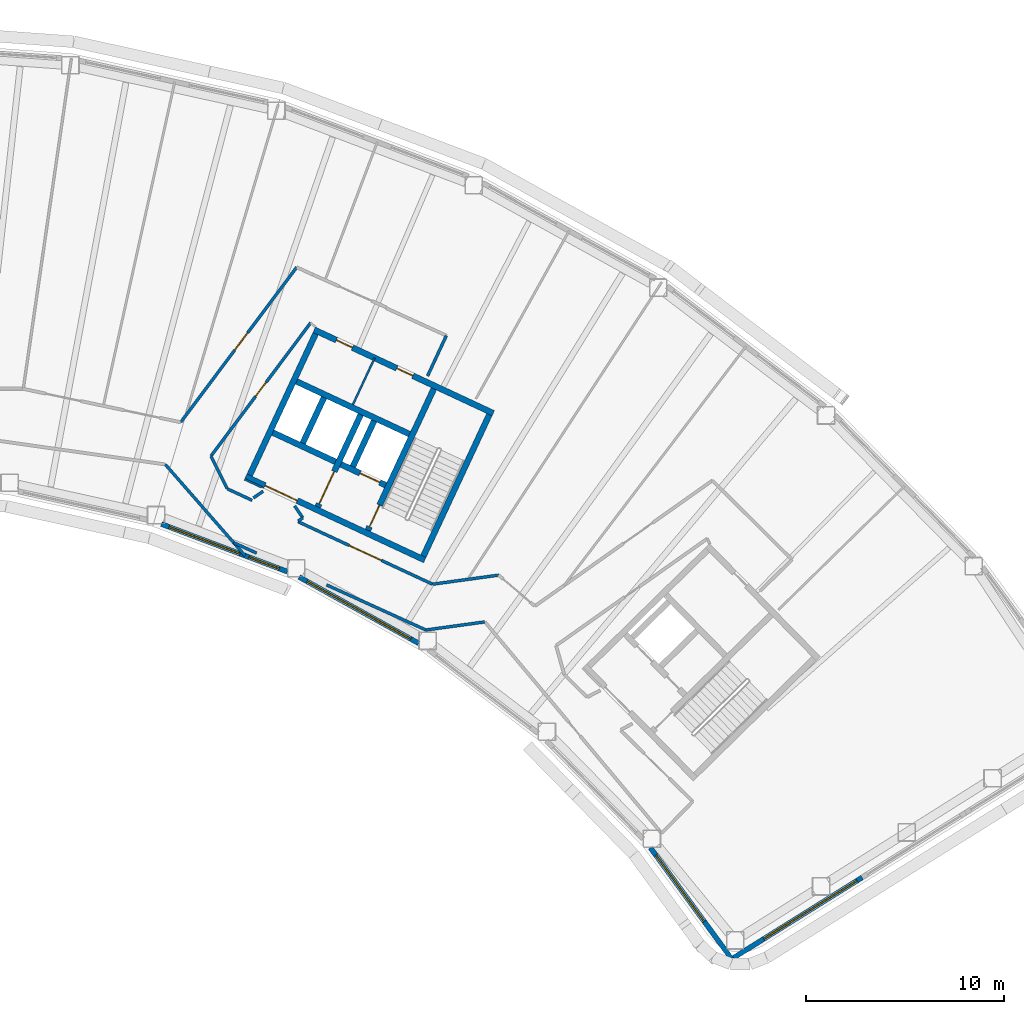
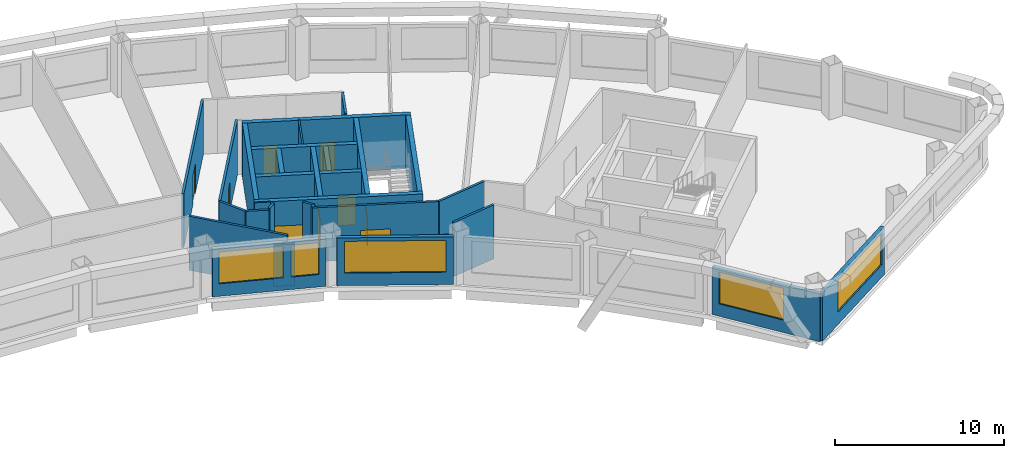
# One storey, part 8 of 14: 31 walls, 9 doors, 5 windows, 14 openings.
"""IFC4 building model written with IfcOpenShell, lengths in metres."""

from ifc_helpers import new_model, si_unit, direction, frame, frame_2d, origin, place, context, subcontext, project, spatial, rectangle, extrude, material, layer, layer_set, type_object, element, fill, save


model = new_model("IFC4")

# Units and contexts
model_context = context("Model", 3, precision=1e-05, world=origin(), true_north=direction((0.0, 1.0)))
body_context = subcontext(model_context, "Body", "Model", "MODEL_VIEW")
ifc_project = project(units=[si_unit("LENGTHUNIT", "METRE"), si_unit("AREAUNIT", "SQUARE_METRE"), si_unit("VOLUMEUNIT", "CUBIC_METRE"), si_unit("PLANEANGLEUNIT", "RADIAN"), si_unit("MASSUNIT", "GRAM", prefix="KILO")], contexts=[model_context])

# Site, building, storey
site_placement = place(None, origin())
site = spatial("IfcSite", under=ifc_project, at=site_placement, CompositionType="ELEMENT")
building_placement = place(site_placement, origin())
building = spatial("IfcBuilding", under=site, at=building_placement, Name="Tuul Gate Civic Tower", CompositionType="ELEMENT")
storey_placement = place(building_placement, frame((0.0, 0.0, 213.699951171875)))
storey = spatial("IfcBuildingStorey", under=building, at=storey_placement, Name="Level 48", CompositionType="ELEMENT", Elevation=213.699951171875)

# Wall, opening, door
ifc_material_1 = material(Name="Concrete C50/60", Category="concrete")
ifc_layer_1 = layer(ifc_material_1, 0.300048828125)
ifc_layer_set_1 = layer_set([ifc_layer_1], Name="Concrete C50/60")
wall_type_1 = type_object("IfcWallType", Name="Core wall C50/60", PredefinedType="SHEAR", material=ifc_layer_set_1)
wall_1_placement = place(storey_placement, frame((34.5283203125, -7.25, 0.0), z_axis=(0.0, 0.0, 1.0), x_axis=(-0.906310338845, 0.422612789327, 0.0)))
wall_1 = element("IfcWall", 1, at=wall_1_placement, inside=storey, type_object=wall_type_1, Name="Core wall", PredefinedType="SHEAR", context=body_context, shape_type="SweptSolid", body=[
    extrude(rectangle(XDim=9.999755859375, YDim=0.300048828125, at=frame_2d((5.0, 0.0))), origin(), (0.0, 0.0, 1.0), 3.900146484375),
])
opening_1_placement = place(wall_1_placement, frame((7.125, 0.0, 0.0)))
opening_1 = element("IfcOpeningElement", 2, at=opening_1_placement, cuts=wall_1, Name="Opening LB-E3-LOBBY-1", PredefinedType="OPENING", context=body_context, shape_type="SweptSolid", body=[
    extrude(rectangle(XDim=1.800048828125, YDim=2.10009765625, at=frame_2d((0.89990234375, 1.050048828125))), frame((0.0, 0.16015625, 0.0), z_axis=(0.0, -1.0, 0.0), x_axis=(1.0, 0.0, 0.0)), (0.0, 0.0, 1.0), 0.320068359375),
])
ifc_material_2 = material(Name="Steel", Category="steel")
door_type_1 = type_object("IfcDoorType", Name="Lobby door", OperationType="DOUBLE_DOOR_SINGLE_SWING", PredefinedType="DOOR", material=ifc_material_2)
door_1_placement = place(opening_1_placement, frame((1.800048828125, 0.0, 0.0), z_axis=(0.0, 0.0, 1.0), x_axis=(-1.0, 0.0, 0.0)))
door_1 = element("IfcDoor", 3, at=door_1_placement, inside=storey, type_object=door_type_1, Name="Lobby door E3-LOBBY", OperationType="DOUBLE_DOOR_SINGLE_SWING", OverallHeight=2.10009765625, OverallWidth=1.800048828125, PredefinedType="DOOR", context=body_context, shape_type="SweptSolid", body=[
    extrude(rectangle(XDim=1.800048828125, YDim=2.10009765625, at=frame_2d((0.900146484375, 1.050048828125))), frame((0.0, 0.02490234375, 0.0), z_axis=(0.0, -1.0, 0.0), x_axis=(1.0, 0.0, 0.0)), (0.0, 0.0, 1.0), 0.050048828125),
])
fill(opening_1, door_1)

wall_2_placement = place(storey_placement, frame((32.545654296875, -3.456787109375, 0.0), z_axis=(0.0, 0.0, 1.0), x_axis=(-0.906300357825, 0.42263419337, 0.0)))
wall_2 = element("IfcWall", 4, at=wall_2_placement, inside=storey, type_object=wall_type_1, Name="Core wall", PredefinedType="SHEAR", context=body_context, shape_type="SweptSolid", body=[
    extrude(rectangle(XDim=2.500244140625, YDim=0.300048828125, at=frame_2d((1.25, 0.0))), origin(), (0.0, 0.0, 1.0), 3.900146484375),
])
opening_2_placement = place(wall_2_placement, frame((0.324951171875, 0.0, 0.0)))
opening_2 = element("IfcOpeningElement", 5, at=opening_2_placement, cuts=wall_2, Name="Opening LD-FF-2", PredefinedType="OPENING", context=body_context, shape_type="SweptSolid", body=[
    extrude(rectangle(XDim=1.10009765625, YDim=2.10009765625, at=frame_2d((0.550048828125, 1.050048828125))), frame((0.0, 0.16015625, 0.0), z_axis=(0.0, -1.0, 0.0), x_axis=(1.0, 0.0, 0.0)), (0.0, 0.0, 1.0), 0.320068359375),
])
ifc_material_3 = material(Name="Stainless steel", Category="steel")
door_type_2 = type_object("IfcDoorType", Name="Landing door", OperationType="DOUBLE_DOOR_SLIDING", PredefinedType="DOOR", material=ifc_material_3)
door_2_placement = place(opening_2_placement, origin())
door_2 = element("IfcDoor", 6, at=door_2_placement, inside=storey, type_object=door_type_2, Name="Fire-fighting lift FF-2 landing door", OperationType="DOUBLE_DOOR_SLIDING", OverallHeight=2.10009765625, OverallWidth=1.10009765625, PredefinedType="DOOR", context=body_context, shape_type="SweptSolid", body=[
    extrude(rectangle(XDim=1.10009765625, YDim=2.10009765625, at=frame_2d((0.550048828125, 1.050048828125))), frame((0.0, 0.02490234375, 0.0), z_axis=(0.0, -1.0, 0.0), x_axis=(1.0, 0.0, 0.0)), (0.0, 0.0, 1.0), 0.050048828125),
])
fill(opening_2, door_2)

# Walls
wall_3_placement = place(storey_placement, frame((30.0078125, -2.2734375, 0.0), z_axis=(0.0, 0.0, 1.0), x_axis=(-0.90630071767, 0.422633421716, 0.0)))
element("IfcWall", 7, at=wall_3_placement, inside=storey, type_object=wall_type_1, Name="Core wall", PredefinedType="SHEAR", context=body_context, shape_type="SweptSolid", body=[
    extrude(rectangle(XDim=3.5, YDim=0.300048828125, at=frame_2d((1.75, 0.0))), origin(), (0.0, 0.0, 1.0), 3.900146484375),
])
wall_4_placement = place(storey_placement, frame((33.75, -0.873779296875, 0.0), z_axis=(0.0, 0.0, 1.0), x_axis=(-0.906300917592, 0.422632992999, 0.0)))
element("IfcWall", 8, at=wall_4_placement, inside=storey, type_object=wall_type_1, Name="Core wall", PredefinedType="SHEAR", context=body_context, shape_type="SweptSolid", body=[
    extrude(rectangle(XDim=6.300048828125, YDim=0.300048828125, at=frame_2d((3.14990234375, 0.0))), origin(), (0.0, 0.0, 1.0), 3.900146484375),
])

# Wall, openings, doors
wall_5_placement = place(storey_placement, frame((37.993408203125, 0.181884765625, 0.0), z_axis=(0.0, 0.0, 1.0), x_axis=(-0.906310338845, 0.422612789327, 0.0)))
wall_5 = element("IfcWall", 9, at=wall_5_placement, inside=storey, type_object=wall_type_1, Name="Core wall", PredefinedType="SHEAR", context=body_context, shape_type="SweptSolid", body=[
    extrude(rectangle(XDim=9.999755859375, YDim=0.300048828125, at=frame_2d((5.0, 0.0))), origin(), (0.0, 0.0, 1.0), 3.900146484375),
])
opening_3_placement = place(wall_5_placement, frame((4.487548828125, 0.0, 0.0)))
opening_3 = element("IfcOpeningElement", 10, at=opening_3_placement, cuts=wall_5, Name="Opening Q-D29", PredefinedType="OPENING", context=body_context, shape_type="SweptSolid", body=[
    extrude(rectangle(XDim=0.89990234375, YDim=2.10009765625, at=frame_2d((0.449951171875, 1.050048828125))), frame((0.0, 0.16015625, 0.0), z_axis=(0.0, -1.0, 0.0), x_axis=(1.0, 0.0, 0.0)), (0.0, 0.0, 1.0), 0.320068359375),
])
opening_4_placement = place(wall_5_placement, frame((7.862548828125, 0.0, 0.0)))
opening_4 = element("IfcOpeningElement", 11, at=opening_4_placement, cuts=wall_5, Name="Opening Q-D30", PredefinedType="OPENING", context=body_context, shape_type="SweptSolid", body=[
    extrude(rectangle(XDim=0.89990234375, YDim=2.10009765625, at=frame_2d((0.449951171875, 1.050048828125))), frame((0.0, 0.16015625, 0.0), z_axis=(0.0, -1.0, 0.0), x_axis=(1.0, 0.0, 0.0)), (0.0, 0.0, 1.0), 0.320068359375),
])
ifc_material_4 = material(Name="Timber door leaf", Category="wood")
door_type_3 = type_object("IfcDoorType", Name="Door D09", OperationType="NOTDEFINED", PredefinedType="DOOR", material=ifc_material_4)
door_3_placement = place(opening_3_placement, origin())
door_3 = element("IfcDoor", 12, at=door_3_placement, inside=storey, type_object=door_type_3, Name="Door Q-D29", OperationType="SINGLE_SWING_LEFT", OverallHeight=2.10009765625, OverallWidth=0.89990234375, PredefinedType="DOOR", context=body_context, shape_type="SweptSolid", body=[
    extrude(rectangle(XDim=0.89990234375, YDim=2.10009765625, at=frame_2d((0.449951171875, 1.050048828125))), frame((0.0, 0.02490234375, 0.0), z_axis=(0.0, -1.0, 0.0), x_axis=(1.0, 0.0, 0.0)), (0.0, 0.0, 1.0), 0.050048828125),
])
fill(opening_3, door_3)
door_4_placement = place(opening_4_placement, origin())
door_4 = element("IfcDoor", 13, at=door_4_placement, inside=storey, type_object=door_type_3, Name="Door Q-D30", OperationType="SINGLE_SWING_RIGHT", OverallHeight=2.10009765625, OverallWidth=0.89990234375, PredefinedType="DOOR", context=body_context, shape_type="SweptSolid", body=[
    extrude(rectangle(XDim=0.89990234375, YDim=2.10009765625, at=frame_2d((0.449951171875, 1.050048828125))), frame((0.0, 0.02490234375, 0.0), z_axis=(0.0, -1.0, 0.0), x_axis=(1.0, 0.0, 0.0)), (0.0, 0.0, 1.0), 0.050048828125),
])
fill(opening_4, door_4)

# Wall
wall_6_placement = place(storey_placement, frame((34.455810546875, -7.05078125, 0.0), z_axis=(0.0, 0.0, 1.0), x_axis=(0.422570768258, 0.906329932096, 0.0)))
element("IfcWall", 14, at=wall_6_placement, inside=storey, type_object=wall_type_1, Name="Core wall", PredefinedType="SHEAR", context=body_context, shape_type="SweptSolid", body=[
    extrude(rectangle(XDim=7.900146484375, YDim=0.300048828125, at=frame_2d((3.9501953125, 0.0))), origin(), (0.0, 0.0, 1.0), 3.900146484375),
])

# Wall, opening, door
wall_7_placement = place(storey_placement, frame((31.646240234375, -5.740478515625, 0.0), z_axis=(0.0, 0.0, 1.0), x_axis=(0.422582604137, 0.906324413596, 0.0)))
wall_7 = element("IfcWall", 15, at=wall_7_placement, inside=storey, type_object=wall_type_1, Name="Core wall", PredefinedType="SHEAR", context=body_context, shape_type="SweptSolid", body=[
    extrude(rectangle(XDim=7.89990234375, YDim=0.300048828125, at=frame_2d((3.949951171875, 0.0))), origin(), (0.0, 0.0, 1.0), 3.900146484375),
])
opening_5_placement = place(wall_7_placement, frame((0.199951171875, 0.0, 0.0)))
opening_5 = element("IfcOpeningElement", 16, at=opening_5_placement, cuts=wall_7, Name="Opening SD-ST-4", PredefinedType="OPENING", context=body_context, shape_type="SweptSolid", body=[
    extrude(rectangle(XDim=1.199951171875, YDim=2.10009765625, at=frame_2d((0.60009765625, 1.050048828125))), frame((0.0, 0.16015625, 0.0), z_axis=(0.0, -1.0, 0.0), x_axis=(1.0, 0.0, 0.0)), (0.0, 0.0, 1.0), 0.320068359375),
])
ifc_material_5 = material(Name="Steel", Category="steel")
door_type_4 = type_object("IfcDoorType", Name="Stair door", OperationType="NOTDEFINED", PredefinedType="DOOR", material=ifc_material_5)
door_5_placement = place(opening_5_placement, origin())
door_5 = element("IfcDoor", 17, at=door_5_placement, inside=storey, type_object=door_type_4, Name="Stair door ST-4", OperationType="SINGLE_SWING_LEFT", OverallHeight=2.10009765625, OverallWidth=1.199951171875, PredefinedType="DOOR", context=body_context, shape_type="SweptSolid", body=[
    extrude(rectangle(XDim=1.199951171875, YDim=2.10009765625, at=frame_2d((0.60009765625, 1.050048828125))), frame((0.0, 0.02490234375, 0.0), z_axis=(0.0, -1.0, 0.0), x_axis=(1.0, 0.0, 0.0)), (0.0, 0.0, 1.0), 0.050048828125),
])
fill(opening_5, door_5)

# Wall
wall_8_placement = place(storey_placement, frame((30.886962890625, -2.517822265625, 0.0), z_axis=(0.0, 0.0, 1.0), x_axis=(0.422612891016, 0.906310291427, 0.0)))
element("IfcWall", 18, at=wall_8_placement, inside=storey, type_object=wall_type_1, Name="Core wall", PredefinedType="SHEAR", context=body_context, shape_type="SweptSolid", body=[
    extrude(rectangle(XDim=2.550048828125, YDim=0.300048828125, at=frame_2d((1.27490234375, 0.0))), origin(), (0.0, 0.0, 1.0), 3.900146484375),
])

# Wall, opening, door
wall_9_placement = place(storey_placement, frame((29.108642578125, -4.557373046875, 0.0), z_axis=(0.0, 0.0, 1.0), x_axis=(0.422566235356, 0.90633204552, 0.0)))
wall_9 = element("IfcWall", 19, at=wall_9_placement, inside=storey, type_object=wall_type_1, Name="Core wall", PredefinedType="SHEAR", context=body_context, shape_type="SweptSolid", body=[
    extrude(rectangle(XDim=5.150146484375, YDim=0.300048828125, at=frame_2d((2.5751953125, 0.0))), origin(), (0.0, 0.0, 1.0), 3.900146484375),
])
opening_6_placement = place(wall_9_placement, frame((0.175048828125, 0.0, 0.0)))
opening_6 = element("IfcOpeningElement", 20, at=opening_6_placement, cuts=wall_9, Name="Opening LB-E3-FLOBBY-1", PredefinedType="OPENING", context=body_context, shape_type="SweptSolid", body=[
    extrude(rectangle(XDim=1.800048828125, YDim=2.10009765625, at=frame_2d((0.89990234375, 1.050048828125))), frame((0.0, 0.16015625, 0.0), z_axis=(0.0, -1.0, 0.0), x_axis=(1.0, 0.0, 0.0)), (0.0, 0.0, 1.0), 0.320068359375),
])
door_6_placement = place(opening_6_placement, frame((1.800048828125, 0.0, 0.0), z_axis=(0.0, 0.0, 1.0), x_axis=(-1.0, 0.0, 0.0)))
door_6 = element("IfcDoor", 21, at=door_6_placement, inside=storey, type_object=door_type_1, Name="Lobby door E3-FLOBBY", OperationType="DOUBLE_DOOR_SINGLE_SWING", OverallHeight=2.10009765625, OverallWidth=1.800048828125, PredefinedType="DOOR", context=body_context, shape_type="SweptSolid", body=[
    extrude(rectangle(XDim=1.800048828125, YDim=2.10009765625, at=frame_2d((0.900146484375, 1.050048828125))), frame((0.0, 0.02490234375, 0.0), z_axis=(0.0, -1.0, 0.0), x_axis=(1.0, 0.0, 0.0)), (0.0, 0.0, 1.0), 0.050048828125),
])
fill(opening_6, door_6)

# Walls
wall_10_placement = place(storey_placement, frame((28.349365234375, -1.33447265625, 0.0), z_axis=(0.0, 0.0, 1.0), x_axis=(0.422612891016, 0.906310291427, 0.0)))
element("IfcWall", 22, at=wall_10_placement, inside=storey, type_object=wall_type_1, Name="Core wall", PredefinedType="SHEAR", context=body_context, shape_type="SweptSolid", body=[
    extrude(rectangle(XDim=2.550048828125, YDim=0.300048828125, at=frame_2d((1.27490234375, 0.0))), origin(), (0.0, 0.0, 1.0), 3.900146484375),
])
wall_11_placement = place(storey_placement, frame((25.66455078125, -2.951416015625, 0.0), z_axis=(0.0, 0.0, 1.0), x_axis=(0.422582604137, 0.906324413596, 0.0)))
element("IfcWall", 23, at=wall_11_placement, inside=storey, type_object=wall_type_1, Name="Core wall", PredefinedType="SHEAR", context=body_context, shape_type="SweptSolid", body=[
    extrude(rectangle(XDim=7.89990234375, YDim=0.300048828125, at=frame_2d((3.949951171875, 0.0))), origin(), (0.0, 0.0, 1.0), 3.900146484375),
])
ifc_material_6 = material(Name="Gypsum board partition")
ifc_layer_2 = layer(ifc_material_6, 0.14990234375)
ifc_layer_set_2 = layer_set([ifc_layer_2], Name="Gypsum board partition")
wall_type_2 = type_object("IfcWallType", Name="Corridor wall P150", PredefinedType="PARTITIONING", material=ifc_layer_set_2)
wall_12_placement = place(storey_placement, frame((34.92578125, -8.4697265625, 0.0), z_axis=(0.0, 0.0, 1.0), x_axis=(0.990719616033, 0.135921456756, 0.0)))
element("IfcWall", 24, at=wall_12_placement, inside=storey, type_object=wall_type_2, Name="p014", PredefinedType="PARTITIONING", context=body_context, shape_type="SweptSolid", body=[
    extrude(rectangle(XDim=3.36962890625, YDim=0.14990234375, at=frame_2d((1.684814453125, 0.0))), origin(), (0.0, 0.0, 1.0), 3.900146484375),
])
wall_13_placement = place(storey_placement, frame((24.541259765625, -3.64501953125, 0.0), z_axis=(0.0, 0.0, 1.0), x_axis=(0.906716386328, -0.421740909523, 0.0)))
element("IfcWall", 25, at=wall_13_placement, inside=storey, type_object=wall_type_2, Name="p016", PredefinedType="PARTITIONING", context=body_context, shape_type="SweptSolid", body=[
    extrude(rectangle(XDim=1.37841796875, YDim=0.14990234375, at=frame_2d((0.689208984375, 0.0))), origin(), (0.0, 0.0, 1.0), 3.900146484375),
])

# Wall, opening, door
wall_14_placement = place(storey_placement, frame((28.119873046875, -5.308837890625, 0.0), z_axis=(0.0, 0.0, 1.0), x_axis=(0.906784843146, -0.421593700428, 0.0)))
wall_14 = element("IfcWall", 26, at=wall_14_placement, inside=storey, type_object=wall_type_2, Name="p017", PredefinedType="PARTITIONING", context=body_context, shape_type="SweptSolid", body=[
    extrude(rectangle(XDim=7.493408203125, YDim=0.14990234375, at=frame_2d((3.74658203125, 0.0))), origin(), (0.0, 0.0, 1.0), 3.900146484375),
])
opening_7_placement = place(wall_14_placement, frame((2.8466796875, 0.0, 0.0)))
opening_7 = element("IfcOpeningElement", 27, at=opening_7_placement, cuts=wall_14, Name="Opening Q-D04", PredefinedType="OPENING", context=body_context, shape_type="SweptSolid", body=[
    extrude(rectangle(XDim=1.800048828125, YDim=2.10009765625, at=frame_2d((0.89990234375, 1.050048828125))), frame((0.0, 0.0849609375, 0.0), z_axis=(0.0, -1.0, 0.0), x_axis=(1.0, 0.0, 0.0)), (0.0, 0.0, 1.0), 0.169921875),
])
ifc_material_7 = material(Name="Timber door leaf, double", Category="wood")
door_type_5 = type_object("IfcDoorType", Name="Door D18", OperationType="DOUBLE_DOOR_SINGLE_SWING", PredefinedType="DOOR", material=ifc_material_7)
door_7_placement = place(opening_7_placement, frame((1.800048828125, 0.0, 0.0), z_axis=(0.0, 0.0, 1.0), x_axis=(-1.0, 0.0, 0.0)))
door_7 = element("IfcDoor", 28, at=door_7_placement, inside=storey, type_object=door_type_5, Name="Door Q-D04", OperationType="DOUBLE_DOOR_SINGLE_SWING", OverallHeight=2.10009765625, OverallWidth=1.800048828125, PredefinedType="DOOR", context=body_context, shape_type="SweptSolid", body=[
    extrude(rectangle(XDim=1.800048828125, YDim=2.10009765625, at=frame_2d((0.900146484375, 1.050048828125))), frame((0.0, 0.02490234375, 0.0), z_axis=(0.0, -1.0, 0.0), x_axis=(1.0, 0.0, 0.0)), (0.0, 0.0, 1.0), 0.050048828125),
])
fill(opening_7, door_7)

# Walls
wall_15_placement = place(storey_placement, frame((28.116943359375, -5.2763671875, 0.0), z_axis=(0.0, 0.0, 1.0), x_axis=(0.82337606949, 0.567496121741, 0.0)))
element("IfcWall", 29, at=wall_15_placement, inside=storey, type_object=wall_type_2, Name="p018", PredefinedType="PARTITIONING", context=body_context, shape_type="SweptSolid", body=[
    extrude(rectangle(XDim=0.2890625, YDim=0.14990234375, at=frame_2d((0.14453125, 0.0))), origin(), (0.0, 0.0, 1.0), 3.900146484375),
])
wall_16_placement = place(storey_placement, frame((27.938720703125, -4.50830078125, 0.0), z_axis=(0.0, 0.0, 1.0), x_axis=(0.567460713761, -0.823400472636, 0.0)))
element("IfcWall", 30, at=wall_16_placement, inside=storey, type_object=wall_type_2, Name="p019", PredefinedType="PARTITIONING", context=body_context, shape_type="SweptSolid", body=[
    extrude(rectangle(XDim=0.733642578125, YDim=0.14990234375, at=frame_2d((0.36669921875, 0.0))), origin(), (0.0, 0.0, 1.0), 3.900146484375),
])
wall_17_placement = place(storey_placement, frame((34.665283203125, 2.065673828125, 0.0), z_axis=(0.0, 0.0, 1.0), x_axis=(0.422607204544, 0.90631294301, 0.0)))
element("IfcWall", 31, at=wall_17_placement, inside=storey, type_object=wall_type_2, Name="p021", PredefinedType="PARTITIONING", context=body_context, shape_type="SweptSolid", body=[
    extrude(rectangle(XDim=2.257568359375, YDim=0.14990234375, at=frame_2d((1.12890625, 0.0))), origin(), (0.0, 0.0, 1.0), 3.900146484375),
])

# Wall, opening, door
wall_18_placement = place(storey_placement, frame((22.18115234375, -0.26318359375, 0.0), z_axis=(0.0, 0.0, 1.0), x_axis=(0.599117413379, 0.800661179892, 0.0)))
wall_18 = element("IfcWall", 32, at=wall_18_placement, inside=storey, type_object=wall_type_2, Name="p026", PredefinedType="PARTITIONING", context=body_context, shape_type="SweptSolid", body=[
    extrude(rectangle(XDim=9.785400390625, YDim=0.14990234375, at=frame_2d((4.892578125, 0.0))), origin(), (0.0, 0.0, 1.0), 3.900146484375),
])
opening_8_placement = place(wall_18_placement, frame((4.54443359375, 0.0, 0.0)))
opening_8 = element("IfcOpeningElement", 33, at=opening_8_placement, cuts=wall_18, Name="Opening Q-D06", PredefinedType="OPENING", context=body_context, shape_type="SweptSolid", body=[
    extrude(rectangle(XDim=1.10009765625, YDim=2.10009765625, at=frame_2d((0.550048828125, 1.050048828125))), frame((0.0, 0.0849609375, 0.0), z_axis=(0.0, -1.0, 0.0), x_axis=(1.0, 0.0, 0.0)), (0.0, 0.0, 1.0), 0.169921875),
])
ifc_material_8 = material(Name="Timber door leaf", Category="wood")
door_type_6 = type_object("IfcDoorType", Name="Door D11", OperationType="NOTDEFINED", PredefinedType="DOOR", material=ifc_material_8)
door_8_placement = place(opening_8_placement, origin())
door_8 = element("IfcDoor", 34, at=door_8_placement, inside=storey, type_object=door_type_6, Name="Door Q-D06", OperationType="SINGLE_SWING_RIGHT", OverallHeight=2.10009765625, OverallWidth=1.10009765625, PredefinedType="DOOR", context=body_context, shape_type="SweptSolid", body=[
    extrude(rectangle(XDim=1.10009765625, YDim=2.10009765625, at=frame_2d((0.550048828125, 1.050048828125))), frame((0.0, 0.02490234375, 0.0), z_axis=(0.0, -1.0, 0.0), x_axis=(1.0, 0.0, 0.0)), (0.0, 0.0, 1.0), 0.050048828125),
])
fill(opening_8, door_8)

# Walls
wall_19_placement = place(storey_placement, frame((34.581787109375, -10.7880859375, 0.0), z_axis=(0.0, 0.0, 1.0), x_axis=(0.990719089556, 0.135925294147, 0.0)))
element("IfcWall", 35, at=wall_19_placement, inside=storey, type_object=wall_type_2, Name="p065", PredefinedType="PARTITIONING", context=body_context, shape_type="SweptSolid", body=[
    extrude(rectangle(XDim=3.0048828125, YDim=0.14990234375, at=frame_2d((1.50244140625, 0.0))), origin(), (0.0, 0.0, 1.0), 3.900146484375),
])
wall_20_placement = place(storey_placement, frame((21.397216796875, -2.413330078125, 0.0), z_axis=(0.0, 0.0, 1.0), x_axis=(0.658152142451, -0.752884956276, 0.0)))
element("IfcWall", 36, at=wall_20_placement, inside=storey, type_object=wall_type_2, Name="p070", PredefinedType="PARTITIONING", context=body_context, shape_type="SweptSolid", body=[
    extrude(rectangle(XDim=6.131103515625, YDim=0.14990234375, at=frame_2d((3.0654296875, 0.0))), origin(), (0.0, 0.0, 1.0), 3.900146484375),
])
wall_21_placement = place(storey_placement, frame((25.853271484375, -4.103759765625, 0.0), z_axis=(0.0, 0.0, 1.0), x_axis=(0.823384310715, 0.567484164421, 0.0)))
element("IfcWall", 37, at=wall_21_placement, inside=storey, type_object=wall_type_2, Name="p075", PredefinedType="PARTITIONING", context=body_context, shape_type="SweptSolid", body=[
    extrude(rectangle(XDim=0.59619140625, YDim=0.14990234375, at=frame_2d((0.298095703125, 0.0))), origin(), (0.0, 0.0, 1.0), 3.900146484375),
])
wall_22_placement = place(storey_placement, frame((23.706298828125, -1.999267578125, 0.0), z_axis=(0.0, 0.0, 1.0), x_axis=(0.45024729149, -0.892903901047, 0.0)))
element("IfcWall", 38, at=wall_22_placement, inside=storey, type_object=wall_type_2, Name="p076", PredefinedType="PARTITIONING", context=body_context, shape_type="SweptSolid", body=[
    extrude(rectangle(XDim=1.833251953125, YDim=0.14990234375, at=frame_2d((0.91650390625, 0.0))), origin(), (0.0, 0.0, 1.0), 3.900146484375),
])

# Wall, opening, door
wall_23_placement = place(storey_placement, frame((23.7080078125, -1.978271484375, 0.0), z_axis=(0.0, 0.0, 1.0), x_axis=(0.599108320158, 0.800667984071, 0.0)))
wall_23 = element("IfcWall", 39, at=wall_23_placement, inside=storey, type_object=wall_type_2, Name="p077", PredefinedType="PARTITIONING", context=body_context, shape_type="SweptSolid", body=[
    extrude(rectangle(XDim=8.41455078125, YDim=0.14990234375, at=frame_2d((4.207275390625, 0.0))), origin(), (0.0, 0.0, 1.0), 3.900146484375),
])
opening_9_placement = place(wall_23_placement, frame((3.75732421875, 0.0, 0.0)))
opening_9 = element("IfcOpeningElement", 40, at=opening_9_placement, cuts=wall_23, Name="Opening Q-D24", PredefinedType="OPENING", context=body_context, shape_type="SweptSolid", body=[
    extrude(rectangle(XDim=0.89990234375, YDim=2.10009765625, at=frame_2d((0.449951171875, 1.050048828125))), frame((0.0, 0.0849609375, 0.0), z_axis=(0.0, -1.0, 0.0), x_axis=(1.0, 0.0, 0.0)), (0.0, 0.0, 1.0), 0.169921875),
])
door_9_placement = place(opening_9_placement, frame((0.89990234375, 0.0, 0.0), z_axis=(0.0, 0.0, 1.0), x_axis=(-1.0, 0.0, 0.0)))
door_9 = element("IfcDoor", 41, at=door_9_placement, inside=storey, type_object=door_type_3, Name="Door Q-D24", OperationType="SINGLE_SWING_LEFT", OverallHeight=2.10009765625, OverallWidth=0.89990234375, PredefinedType="DOOR", context=body_context, shape_type="SweptSolid", body=[
    extrude(rectangle(XDim=0.89990234375, YDim=2.10009765625, at=frame_2d((0.449951171875, 1.050048828125))), frame((0.0, 0.02490234375, 0.0), z_axis=(0.0, -1.0, 0.0), x_axis=(1.0, 0.0, 0.0)), (0.0, 0.0, 1.0), 0.050048828125),
])
fill(opening_9, door_9)

# Walls
ifc_material_9 = material(Name="Gypsum board partition")
ifc_layer_3 = layer(ifc_material_9, 0.14990234375)
ifc_layer_set_3 = layer_set([ifc_layer_3], Name="Gypsum board partition")
wall_type_3 = type_object("IfcWallType", Name="Corridor wall P150 3000 HIGH", PredefinedType="PARTITIONING", material=ifc_layer_set_3)
wall_24_placement = place(storey_placement, frame((24.857421875, -6.371337890625, 0.0), z_axis=(0.0, 0.0, 1.0), x_axis=(0.91047853396, -0.413556331348, 0.0)))
element("IfcWall", 42, at=wall_24_placement, inside=storey, type_object=wall_type_3, Name="p063", PredefinedType="PARTITIONING", context=body_context, shape_type="SweptSolid", body=[
    extrude(rectangle(XDim=1.26806640625, YDim=0.14990234375, at=frame_2d((0.634033203125, 0.0))), origin(), (0.0, 0.0, 1.0), 3.0),
])
wall_25_placement = place(storey_placement, frame((29.556640625, -8.505615234375, 0.0), z_axis=(0.0, 0.0, 1.0), x_axis=(0.910481573479, -0.41354963953, 0.0)))
element("IfcWall", 43, at=wall_25_placement, inside=storey, type_object=wall_type_3, Name="p064", PredefinedType="PARTITIONING", context=body_context, shape_type="SweptSolid", body=[
    extrude(rectangle(XDim=5.519287109375, YDim=0.14990234375, at=frame_2d((2.759765625, 0.0))), origin(), (0.0, 0.0, 1.0), 3.0),
])

# Wall, openings, windows
ifc_material_10 = material(Name="Precast concrete C40/50", Category="concrete")
ifc_layer_4 = layer(ifc_material_10, 0.25)
ifc_layer_set_4 = layer_set([ifc_layer_4], Name="Precast concrete C40/50")
wall_type_4 = type_object("IfcWallType", Name="External wall", PredefinedType="STANDARD", material=ifc_layer_set_4)
wall_26_placement = place(storey_placement, frame((21.197998046875, -5.423095703125, 0.0), z_axis=(0.0, 0.0, 1.0), x_axis=(0.935366308293, -0.353680462154, 0.0)))
wall_26 = element("IfcWall", 44, at=wall_26_placement, inside=storey, type_object=wall_type_4, Name="External wall", PredefinedType="STANDARD", context=body_context, shape_type="SweptSolid", body=[
    extrude(rectangle(XDim=6.818603515625, YDim=0.25, at=frame_2d((3.4091796875, 0.0))), origin(), (0.0, 0.0, 1.0), 3.449951171875),
])
opening_10_placement = place(wall_26_placement, frame((0.4150390625, 0.0, 0.89990234375)))
opening_10 = element("IfcOpeningElement", 45, at=opening_10_placement, cuts=wall_26, Name="Opening W22", PredefinedType="OPENING", context=body_context, shape_type="SweptSolid", body=[
    extrude(rectangle(XDim=3.85009765625, YDim=2.300048828125, at=frame_2d((1.925048828125, 1.14990234375))), frame((0.0, 0.135009765625, 0.0), z_axis=(0.0, -1.0, 0.0), x_axis=(1.0, 0.0, 0.0)), (0.0, 0.0, 1.0), 0.27001953125),
])
opening_11_placement = place(wall_26_placement, frame((4.73046875, 0.0, 0.89990234375)))
opening_11 = element("IfcOpeningElement", 46, at=opening_11_placement, cuts=wall_26, Name="Opening W55", PredefinedType="OPENING", context=body_context, shape_type="SweptSolid", body=[
    extrude(rectangle(XDim=1.64990234375, YDim=2.300048828125, at=frame_2d((0.824951171875, 1.14990234375))), frame((0.0, 0.135009765625, 0.0), z_axis=(0.0, -1.0, 0.0), x_axis=(1.0, 0.0, 0.0)), (0.0, 0.0, 1.0), 0.27001953125),
])
ifc_material_11 = material(Name="Glass", Category="glass")
window_type_1 = type_object("IfcWindowType", Name="Window 1650 x 2300", PartitioningType="SINGLE_PANEL", PredefinedType="WINDOW", material=ifc_material_11)
window_1_placement = place(opening_11_placement, origin())
window_1 = element("IfcWindow", 47, at=window_1_placement, inside=storey, type_object=window_type_1, Name="Window", OverallHeight=2.300048828125, OverallWidth=1.64990234375, PartitioningType="SINGLE_PANEL", PredefinedType="WINDOW", context=body_context, shape_type="SweptSolid", body=[
    extrude(rectangle(XDim=1.64990234375, YDim=2.300048828125, at=frame_2d((0.824951171875, 1.14990234375))), frame((0.0, 0.030029296875, 0.0), z_axis=(0.0, -1.0, 0.0), x_axis=(1.0, 0.0, 0.0)), (0.0, 0.0, 1.0), 0.06005859375),
])
fill(opening_11, window_1)
ifc_material_12 = material(Name="Glass", Category="glass")
window_type_2 = type_object("IfcWindowType", Name="Window W22 3850 x 2300", PartitioningType="SINGLE_PANEL", PredefinedType="WINDOW", material=ifc_material_12)
window_2_placement = place(opening_10_placement, origin())
window_2 = element("IfcWindow", 48, at=window_2_placement, inside=storey, type_object=window_type_2, Name="Window", OverallHeight=2.300048828125, OverallWidth=3.85009765625, PartitioningType="SINGLE_PANEL", PredefinedType="WINDOW", context=body_context, shape_type="SweptSolid", body=[
    extrude(rectangle(XDim=3.85009765625, YDim=2.300048828125, at=frame_2d((1.925048828125, 1.14990234375))), frame((0.0, 0.030029296875, 0.0), z_axis=(0.0, -1.0, 0.0), x_axis=(1.0, 0.0, 0.0)), (0.0, 0.0, 1.0), 0.06005859375),
])
fill(opening_10, window_2)

# Wall, opening, window
wall_27_placement = place(storey_placement, frame((28.168701171875, -8.10791015625, 0.0), z_axis=(0.0, 0.0, 1.0), x_axis=(0.874623228644, -0.48480326723, 0.0)))
wall_27 = element("IfcWall", 49, at=wall_27_placement, inside=storey, type_object=wall_type_4, Name="External wall", PredefinedType="STANDARD", context=body_context, shape_type="SweptSolid", body=[
    extrude(rectangle(XDim=6.914306640625, YDim=0.25, at=frame_2d((3.45703125, 0.0))), origin(), (0.0, 0.0, 1.0), 3.449951171875),
])
opening_12_placement = place(wall_27_placement, frame((0.453369140625, 0.0, 0.89990234375)))
opening_12 = element("IfcOpeningElement", 50, at=opening_12_placement, cuts=wall_27, Name="Opening W26", PredefinedType="OPENING", context=body_context, shape_type="SweptSolid", body=[
    extrude(rectangle(XDim=6.0, YDim=2.300048828125, at=frame_2d((3.0, 1.14990234375))), frame((0.0, 0.135009765625, 0.0), z_axis=(0.0, -1.0, 0.0), x_axis=(1.0, 0.0, 0.0)), (0.0, 0.0, 1.0), 0.27001953125),
])
ifc_material_13 = material(Name="Glass", Category="glass")
window_type_3 = type_object("IfcWindowType", Name="Window W26 6000 x 2300", PartitioningType="SINGLE_PANEL", PredefinedType="WINDOW", material=ifc_material_13)
window_3_placement = place(opening_12_placement, origin())
window_3 = element("IfcWindow", 51, at=window_3_placement, inside=storey, type_object=window_type_3, Name="Window", OverallHeight=2.300048828125, OverallWidth=6.0, PartitioningType="SINGLE_PANEL", PredefinedType="WINDOW", context=body_context, shape_type="SweptSolid", body=[
    extrude(rectangle(XDim=6.0, YDim=2.300048828125, at=frame_2d((3.0, 1.14990234375))), frame((0.0, 0.030029296875, 0.0), z_axis=(0.0, -1.0, 0.0), x_axis=(1.0, 0.0, 0.0)), (0.0, 0.0, 1.0), 0.06005859375),
])
fill(opening_12, window_3)

wall_28_placement = place(storey_placement, frame((45.947265625, -21.80908203125, 0.0), z_axis=(0.0, 0.0, 1.0), x_axis=(0.589742622716, -0.807591257353, 0.0)))
wall_28 = element("IfcWall", 52, at=wall_28_placement, inside=storey, type_object=wall_type_4, Name="External wall", PredefinedType="STANDARD", context=body_context, shape_type="SweptSolid", body=[
    extrude(rectangle(XDim=6.971923828125, YDim=0.25, at=frame_2d((3.48583984375, 0.0))), origin(), (0.0, 0.0, 1.0), 3.449951171875),
])
opening_13_placement = place(wall_28_placement, frame((0.465576171875, 0.0, 0.89990234375)))
opening_13 = element("IfcOpeningElement", 53, at=opening_13_placement, cuts=wall_28, Name="Opening W25", PredefinedType="OPENING", context=body_context, shape_type="SweptSolid", body=[
    extrude(rectangle(XDim=4.14990234375, YDim=2.300048828125, at=frame_2d((2.074951171875, 1.14990234375))), frame((0.0, 0.135009765625, 0.0), z_axis=(0.0, -1.0, 0.0), x_axis=(1.0, 0.0, 0.0)), (0.0, 0.0, 1.0), 0.27001953125),
])
ifc_material_14 = material(Name="Glass", Category="glass")
window_type_4 = type_object("IfcWindowType", Name="Window W25 4150 x 2300", PartitioningType="SINGLE_PANEL", PredefinedType="WINDOW", material=ifc_material_14)
window_4_placement = place(opening_13_placement, origin())
window_4 = element("IfcWindow", 54, at=window_4_placement, inside=storey, type_object=window_type_4, Name="Window", OverallHeight=2.300048828125, OverallWidth=4.14990234375, PartitioningType="SINGLE_PANEL", PredefinedType="WINDOW", context=body_context, shape_type="SweptSolid", body=[
    extrude(rectangle(XDim=4.14990234375, YDim=2.300048828125, at=frame_2d((2.074951171875, 1.14990234375))), frame((0.0, 0.030029296875, 0.0), z_axis=(0.0, -1.0, 0.0), x_axis=(1.0, 0.0, 0.0)), (0.0, 0.0, 1.0), 0.06005859375),
])
fill(opening_13, window_4)

wall_29_placement = place(storey_placement, frame((50.058837890625, -27.439453125, 0.0), z_axis=(0.0, 0.0, 1.0), x_axis=(0.848052898081, 0.529911579471, 0.0)))
wall_29 = element("IfcWall", 55, at=wall_29_placement, inside=storey, type_object=wall_type_4, Name="External wall", PredefinedType="STANDARD", context=body_context, shape_type="SweptSolid", body=[
    extrude(rectangle(XDim=7.78759765625, YDim=0.25, at=frame_2d((3.893798828125, 0.0))), origin(), (0.0, 0.0, 1.0), 3.449951171875),
])
opening_14_placement = place(wall_29_placement, frame((1.92138671875, 0.0, 0.89990234375)))
opening_14 = element("IfcOpeningElement", 56, at=opening_14_placement, cuts=wall_29, Name="Opening W24", PredefinedType="OPENING", context=body_context, shape_type="SweptSolid", body=[
    extrude(rectangle(XDim=5.550048828125, YDim=2.300048828125, at=frame_2d((2.77490234375, 1.14990234375))), frame((0.0, 0.135009765625, 0.0), z_axis=(0.0, -1.0, 0.0), x_axis=(1.0, 0.0, 0.0)), (0.0, 0.0, 1.0), 0.27001953125),
])
ifc_material_15 = material(Name="Glass", Category="glass")
window_type_5 = type_object("IfcWindowType", Name="Window W24 5550 x 2300", PartitioningType="SINGLE_PANEL", PredefinedType="WINDOW", material=ifc_material_15)
window_5_placement = place(opening_14_placement, origin())
window_5 = element("IfcWindow", 57, at=window_5_placement, inside=storey, type_object=window_type_5, Name="Window", OverallHeight=2.300048828125, OverallWidth=5.550048828125, PartitioningType="SINGLE_PANEL", PredefinedType="WINDOW", context=body_context, shape_type="SweptSolid", body=[
    extrude(rectangle(XDim=5.550048828125, YDim=2.300048828125, at=frame_2d((2.77490234375, 1.14990234375))), frame((0.0, 0.030029296875, 0.0), z_axis=(0.0, -1.0, 0.0), x_axis=(1.0, 0.0, 0.0)), (0.0, 0.0, 1.0), 0.06005859375),
])
fill(opening_14, window_5)

# Walls
ifc_material_16 = material(Name="Gypsum board partition")
ifc_layer_5 = layer(ifc_material_16, 0.10009765625)
ifc_layer_set_5 = layer_set([ifc_layer_5], Name="Gypsum board partition")
wall_type_5 = type_object("IfcWallType", Name="Partition P100", PredefinedType="PARTITIONING", material=ifc_layer_set_5)
wall_30_placement = place(storey_placement, frame((25.40185546875, -3.159912109375, 0.0), z_axis=(0.0, 0.0, 1.0), x_axis=(0.906286504728, -0.4226638988, 0.0)))
element("IfcWall", 58, at=wall_30_placement, inside=storey, type_object=wall_type_5, Name="p080", PredefinedType="PARTITIONING", context=body_context, shape_type="SweptSolid", body=[
    extrude(rectangle(XDim=0.965087890625, YDim=0.10009765625, at=frame_2d((0.482421875, 0.0))), origin(), (0.0, 0.0, 1.0), 3.900146484375),
])
wall_31_placement = place(storey_placement, frame((30.890380859375, 0.625, 0.0), z_axis=(0.0, 0.0, 1.0), x_axis=(0.422597606916, 0.906317418253, 0.0)))
element("IfcWall", 59, at=wall_31_placement, inside=storey, type_object=wall_type_5, Name="bE3-BAND-0", PredefinedType="PARTITIONING", context=body_context, shape_type="SweptSolid", body=[
    extrude(rectangle(XDim=2.600341796875, YDim=0.10009765625, at=frame_2d((1.30029296875, 0.0))), origin(), (0.0, 0.0, 1.0), 3.900146484375),
])

save(model, "model.ifc")
